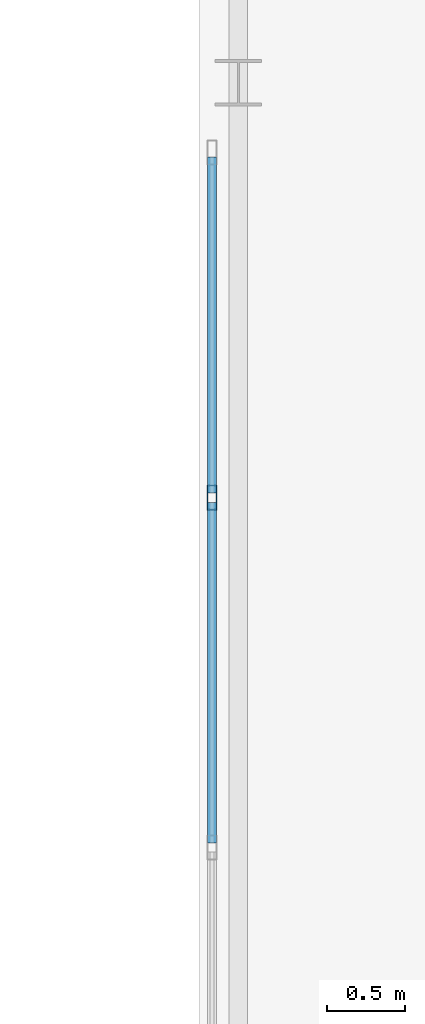
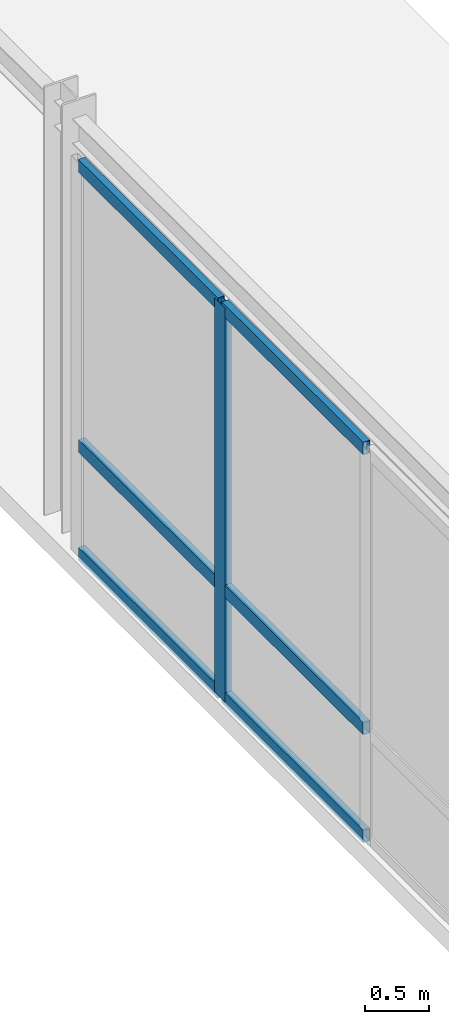
# One storey, part 82 of 165: 7 members, 1 element without a shape of its own.
"""IFC4 building model written with IfcOpenShell, lengths in metres."""

from ifc_helpers import new_model, si_unit, direction, frame, origin, origin_2d, place, context, subcontext, project, spatial, hollow_rectangle, extrude, material, layer, layer_set, material_profile, profile_set, type_object, element, aggregate, save


model = new_model("IFC4")

# Units and contexts
model_context = context("Model", 3, precision=1e-05, world=origin(), true_north=direction((0.0, 1.0)))
body_context = subcontext(model_context, "Body", "Model", "MODEL_VIEW")
ifc_project = project(units=[si_unit("LENGTHUNIT", "METRE"), si_unit("AREAUNIT", "SQUARE_METRE"), si_unit("VOLUMEUNIT", "CUBIC_METRE"), si_unit("PLANEANGLEUNIT", "RADIAN"), si_unit("MASSUNIT", "GRAM", prefix="KILO")], contexts=[model_context])

# Site, building, storey
site_placement = place(None, origin())
site = spatial("IfcSite", under=ifc_project, at=site_placement, CompositionType="ELEMENT")
building_placement = place(site_placement, origin())
building = spatial("IfcBuilding", under=site, at=building_placement, Name="Montecoro Central Library", CompositionType="ELEMENT")
storey_placement = place(building_placement, frame((0.0, 0.0, 5.10009765625)))
storey = spatial("IfcBuildingStorey", under=building, at=storey_placement, Name="L01", CompositionType="ELEMENT", Elevation=5.10009765625)

# Curtain wall, members
ifc_material_1 = material(Name="Bronze-anodised aluminium and low-E glazing", Category="aluminium")
ifc_layer = layer(ifc_material_1, 0.159912109375)
ifc_layer_set = layer_set([ifc_layer], Name="Bronze-anodised aluminium and low-E glazing")
curtain_wall_type = type_object("IfcCurtainWallType", Name="CWT-076", PredefinedType="NOTDEFINED", material=ifc_layer_set)
curtain_wall_placement = place(storey_placement, origin())
curtain_wall = element("IfcCurtainWall", 1, at=curtain_wall_placement, inside=storey, type_object=curtain_wall_type, Name="BR-N-L01-CW-W2", PredefinedType="NOTDEFINED")
ifc_material_2 = material(Name="Bronze-anodised aluminium", Category="aluminium")
ifc_material_profile_1 = material_profile(ifc_material_2, hollow_rectangle(XDim=0.06005859375, YDim=0.159912109375, WallThickness=0.00390625, at=origin_2d()), Name="CWM 160x60x4.0")
ifc_profile_set_1 = profile_set([ifc_material_profile_1], Name="Bronze-anodised aluminium")
member_type_1 = type_object("IfcMemberType", Name="CWM-BRZ-60", PredefinedType="MULLION", material=ifc_profile_set_1)
member_1_placement = place(storey_placement, frame((88.679931640625, 70.7265625, 0.0), z_axis=(0.0, 0.0, 1.0), x_axis=(-1.0, 0.0, 0.0)))
member_1 = element("IfcMember", 2, at=member_1_placement, type_object=member_type_1, Name="CW-076 mullion 3", PredefinedType="MULLION", context=body_context, shape_type="SweptSolid", body=[
    extrude(hollow_rectangle(XDim=0.06005859375, YDim=0.159912109375, WallThickness=0.00390625, at=origin_2d()), origin(), (0.0, 0.0, 1.0), 3.72998046875),
])
ifc_material_profile_2 = material_profile(ifc_material_2, hollow_rectangle(XDim=0.06005859375, YDim=0.1201171875, WallThickness=0.00390625, at=origin_2d()), Name="CWT 120x60x4.0")
ifc_profile_set_2 = profile_set([ifc_material_profile_2], Name="Bronze-anodised aluminium")
member_type_2 = type_object("IfcMemberType", Name="CWT-BRZ-60", PredefinedType="USERDEFINED", material=ifc_profile_set_2)
member_2_placement = place(storey_placement, frame((88.679931640625, 68.50341796875, 0.02978515625), z_axis=(0.0, 1.0, 0.0), x_axis=(-1.0, 0.0, 0.0)))
member_2 = element("IfcMember", 3, at=member_2_placement, type_object=member_type_2, Name="CW-076 transom 2.1", ObjectType="TRANSOM", PredefinedType="USERDEFINED", context=body_context, shape_type="SweptSolid", body=[
    extrude(hollow_rectangle(XDim=0.06005859375, YDim=0.1201171875, WallThickness=0.00390625, at=origin_2d()), origin(), (0.0, 0.0, 1.0), 2.193359375),
])
member_3_placement = place(storey_placement, frame((88.679931640625, 68.50341796875, 1.0498046875), z_axis=(0.0, 1.0, 0.0), x_axis=(-1.0, 0.0, 0.0)))
member_3 = element("IfcMember", 4, at=member_3_placement, type_object=member_type_2, Name="CW-076 transom 2.2", ObjectType="TRANSOM", PredefinedType="USERDEFINED", context=body_context, shape_type="SweptSolid", body=[
    extrude(hollow_rectangle(XDim=0.06005859375, YDim=0.1201171875, WallThickness=0.00390625, at=origin_2d()), origin(), (0.0, 0.0, 1.0), 2.193359375),
])
member_4_placement = place(storey_placement, frame((88.679931640625, 68.50341796875, 3.699951171875), z_axis=(0.0, 1.0, 0.0), x_axis=(-1.0, 0.0, 0.0)))
member_4 = element("IfcMember", 5, at=member_4_placement, type_object=member_type_2, Name="CW-076 transom 2.3", ObjectType="TRANSOM", PredefinedType="USERDEFINED", context=body_context, shape_type="SweptSolid", body=[
    extrude(hollow_rectangle(XDim=0.06005859375, YDim=0.1201171875, WallThickness=0.00390625, at=origin_2d()), origin(), (0.0, 0.0, 1.0), 2.193359375),
])
member_5_placement = place(storey_placement, frame((88.679931640625, 70.756591796875, 0.02978515625), z_axis=(0.0, 1.0, 0.0), x_axis=(-1.0, 0.0, 0.0)))
member_5 = element("IfcMember", 6, at=member_5_placement, type_object=member_type_2, Name="CW-076 transom 3.1", ObjectType="TRANSOM", PredefinedType="USERDEFINED", context=body_context, shape_type="SweptSolid", body=[
    extrude(hollow_rectangle(XDim=0.06005859375, YDim=0.1201171875, WallThickness=0.00390625, at=origin_2d()), origin(), (0.0, 0.0, 1.0), 2.163330078125),
])
member_6_placement = place(storey_placement, frame((88.679931640625, 70.756591796875, 1.0498046875), z_axis=(0.0, 1.0, 0.0), x_axis=(-1.0, 0.0, 0.0)))
member_6 = element("IfcMember", 7, at=member_6_placement, type_object=member_type_2, Name="CW-076 transom 3.2", ObjectType="TRANSOM", PredefinedType="USERDEFINED", context=body_context, shape_type="SweptSolid", body=[
    extrude(hollow_rectangle(XDim=0.06005859375, YDim=0.1201171875, WallThickness=0.00390625, at=origin_2d()), origin(), (0.0, 0.0, 1.0), 2.163330078125),
])
member_7_placement = place(storey_placement, frame((88.679931640625, 70.756591796875, 3.699951171875), z_axis=(0.0, 1.0, 0.0), x_axis=(-1.0, 0.0, 0.0)))
member_7 = element("IfcMember", 8, at=member_7_placement, type_object=member_type_2, Name="CW-076 transom 3.3", ObjectType="TRANSOM", PredefinedType="USERDEFINED", context=body_context, shape_type="SweptSolid", body=[
    extrude(hollow_rectangle(XDim=0.06005859375, YDim=0.1201171875, WallThickness=0.00390625, at=origin_2d()), origin(), (0.0, 0.0, 1.0), 2.163330078125),
])
aggregate(curtain_wall, [member_1, member_2, member_3, member_4, member_5, member_6, member_7])

save(model, "model.ifc")
